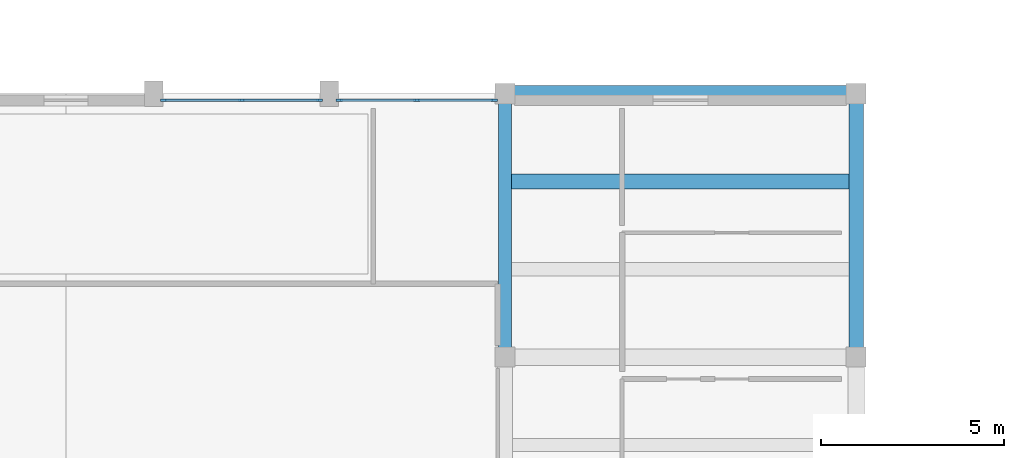
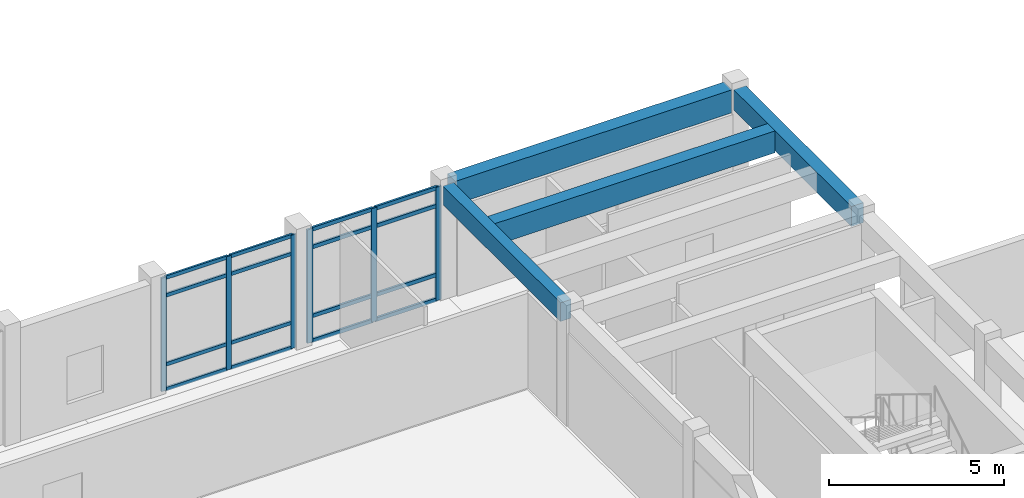
# One storey, part 15 of 60: 22 members, 4 beams, 2 elements without a shape of their own.
"""IFC4 building model written with IfcOpenShell, lengths in metres."""

from ifc_helpers import new_model, si_unit, direction, frame, origin, origin_2d, place, context, subcontext, project, spatial, rectangle, extrude, material, layer, layer_set, material_profile, profile_set, type_object, element, aggregate, save


model = new_model("IFC4")

# Units and contexts
model_context = context("Model", 3, precision=1e-05, world=origin(), true_north=direction((0.0, 1.0)))
body_context = subcontext(model_context, "Body", "Model", "MODEL_VIEW")
ifc_project = project(units=[si_unit("LENGTHUNIT", "METRE"), si_unit("AREAUNIT", "SQUARE_METRE"), si_unit("VOLUMEUNIT", "CUBIC_METRE"), si_unit("PLANEANGLEUNIT", "RADIAN"), si_unit("MASSUNIT", "GRAM", prefix="KILO")], contexts=[model_context])

# Site, building, storey
site_placement = place(None, origin())
site = spatial("IfcSite", under=ifc_project, at=site_placement, CompositionType="ELEMENT")
building_placement = place(site_placement, origin())
building = spatial("IfcBuilding", under=site, at=building_placement, Name="Brisavento Harbour Community Centre", CompositionType="ELEMENT")
storey_placement = place(building_placement, frame((0.0, 0.0, 4.5)))
storey = spatial("IfcBuildingStorey", under=building, at=storey_placement, Name="L01", CompositionType="ELEMENT", Elevation=4.5)

# Beams
ifc_material_1 = material(Name="Concrete C35/45", Category="concrete")
ifc_material_profile_1 = material_profile(ifc_material_1, rectangle(XDim=0.419921875, YDim=0.760009765625, at=origin_2d()), Name="Concrete C35/45")
ifc_profile_set_1 = profile_set([ifc_material_profile_1], Name="Concrete C35/45")
beam_type_1 = type_object("IfcBeamType", Name="BM-JST-420x760", PredefinedType="JOIST", material=ifc_profile_set_1)
beam_1_placement = place(storey_placement, frame((40.97509765625, 33.60009765625, 3.570068359375), z_axis=(1.0, 0.0, 0.0), x_axis=(0.0, 1.0, 0.0)))
element("IfcBeam", 1, at=beam_1_placement, inside=storey, type_object=beam_type_1, Name="L01 secondary floor joist 0241", PredefinedType="JOIST", context=body_context, shape_type="SweptSolid", body=[
    extrude(rectangle(XDim=0.419921875, YDim=0.760009765625, at=origin_2d()), origin(), (0.0, 0.0, 1.0), 9.224853515625),
])
ifc_material_profile_2 = material_profile(ifc_material_1, rectangle(XDim=0.35009765625, YDim=0.64990234375, at=origin_2d()), Name="Concrete C35/45")
ifc_profile_set_2 = profile_set([ifc_material_profile_2], Name="Concrete C35/45")
beam_type_2 = type_object("IfcBeamType", Name="BM-RC-350x650", PredefinedType="BEAM", material=ifc_profile_set_2)
beam_2_placement = place(storey_placement, frame((40.800048828125, 29.044921875, 3.625), z_axis=(0.0, 1.0, 0.0), x_axis=(-1.0, 0.0, 0.0)))
element("IfcBeam", 2, at=beam_2_placement, inside=storey, type_object=beam_type_2, Name="L01 primary girder Y0493", PredefinedType="BEAM", context=body_context, shape_type="SweptSolid", body=[
    extrude(rectangle(XDim=0.35009765625, YDim=0.64990234375, at=origin_2d()), origin(), (0.0, 0.0, 1.0), 6.7099609375),
])
ifc_material_profile_3 = material_profile(ifc_material_1, rectangle(XDim=0.39990234375, YDim=0.699951171875, at=origin_2d()), Name="Concrete C35/45")
ifc_profile_set_3 = profile_set([ifc_material_profile_3], Name="Concrete C35/45")
beam_type_3 = type_object("IfcBeamType", Name="BM-RC-400x700", PredefinedType="BEAM", material=ifc_profile_set_3)
beam_3_placement = place(storey_placement, frame((50.39990234375, 29.044921875, 3.60009765625), z_axis=(0.0, 1.0, 0.0), x_axis=(-1.0, 0.0, 0.0)))
element("IfcBeam", 3, at=beam_3_placement, inside=storey, type_object=beam_type_3, Name="L01 primary girder Y0497", PredefinedType="BEAM", context=body_context, shape_type="SweptSolid", body=[
    extrude(rectangle(XDim=0.39990234375, YDim=0.699951171875, at=origin_2d()), origin(), (0.0, 0.0, 1.0), 6.7099609375),
])
ifc_material_profile_4 = material_profile(ifc_material_1, rectangle(XDim=0.449951171875, YDim=0.800048828125, at=origin_2d()), Name="Concrete C35/45")
ifc_profile_set_4 = profile_set([ifc_material_profile_4], Name="Concrete C35/45")
beam_type_4 = type_object("IfcBeamType", Name="BM-RC-450x800", PredefinedType="BEAM", material=ifc_profile_set_4)
beam_4_placement = place(storey_placement, frame((41.044921875, 36.0, 3.550048828125), z_axis=(1.0, 0.0, 0.0), x_axis=(0.0, 1.0, 0.0)))
element("IfcBeam", 4, at=beam_4_placement, inside=storey, type_object=beam_type_4, Name="L01 primary girder X0445", PredefinedType="BEAM", context=body_context, shape_type="SweptSolid", body=[
    extrude(rectangle(XDim=0.449951171875, YDim=0.800048828125, at=origin_2d()), origin(), (0.0, 0.0, 1.0), 9.110107421875),
])

# Curtain wall, members
ifc_material_2 = material(Name="Marine-anodised aluminium AW-6063-T6", Category="aluminium")
ifc_layer_1 = layer(ifc_material_2, 0.179931640625, Name="Marine-anodised aluminium AW-6063-T6")
ifc_layer_set_1 = layer_set([ifc_layer_1], Name="Marine-anodised aluminium AW-6063-T6")
curtain_wall_type_1 = type_object("IfcCurtainWallType", Name="CW-SYS-17", PredefinedType="USERDEFINED", material=ifc_layer_set_1)
curtain_wall_1_placement = place(storey_placement, origin())
curtain_wall_1 = element("IfcCurtainWall", 5, at=curtain_wall_1_placement, inside=storey, type_object=curtain_wall_type_1, Name="L01 V1 unitised curtain wall 045", ObjectType="UNITISED CURTAIN WALL", PredefinedType="USERDEFINED")
ifc_material_profile_5 = material_profile(ifc_material_2, rectangle(XDim=0.06494140625, YDim=0.1650390625, at=origin_2d()), Name="Marine-anodised aluminium AW-6063-T6")
ifc_profile_set_5 = profile_set([ifc_material_profile_5], Name="Marine-anodised aluminium AW-6063-T6")
member_type_1 = type_object("IfcMemberType", Name="CWM-01", PredefinedType="MULLION", material=ifc_profile_set_5)
member_1_placement = place(storey_placement, frame((31.467529296875, 35.820068359375, 0.0), z_axis=(0.0, 0.0, 1.0), x_axis=(0.0, 1.0, 0.0)))
member_1 = element("IfcMember", 6, at=member_1_placement, type_object=member_type_1, Name="CW-17 mullion 1", PredefinedType="MULLION", context=body_context, shape_type="SweptSolid", body=[
    extrude(rectangle(XDim=0.06494140625, YDim=0.1650390625, at=origin_2d()), origin(), (0.0, 0.0, 1.0), 3.949951171875),
])
member_2_placement = place(storey_placement, frame((33.60009765625, 35.820068359375, 0.0), z_axis=(0.0, 0.0, 1.0), x_axis=(0.0, 1.0, 0.0)))
member_2 = element("IfcMember", 7, at=member_2_placement, type_object=member_type_1, Name="CW-17 mullion 2", PredefinedType="MULLION", context=body_context, shape_type="SweptSolid", body=[
    extrude(rectangle(XDim=0.06494140625, YDim=0.1650390625, at=origin_2d()), origin(), (0.0, 0.0, 1.0), 3.949951171875),
])
member_3_placement = place(storey_placement, frame((35.732421875, 35.820068359375, 0.0), z_axis=(0.0, 0.0, 1.0), x_axis=(0.0, 1.0, 0.0)))
member_3 = element("IfcMember", 8, at=member_3_placement, type_object=member_type_1, Name="CW-17 mullion 3", PredefinedType="MULLION", context=body_context, shape_type="SweptSolid", body=[
    extrude(rectangle(XDim=0.06494140625, YDim=0.1650390625, at=origin_2d()), origin(), (0.0, 0.0, 1.0), 3.949951171875),
])

ifc_layer_2 = layer(ifc_material_2, 0.179931640625, Name="Marine-anodised aluminium AW-6063-T6")
ifc_layer_set_2 = layer_set([ifc_layer_2], Name="Marine-anodised aluminium AW-6063-T6")
curtain_wall_type_2 = type_object("IfcCurtainWallType", Name="CW-SYS-18", PredefinedType="USERDEFINED", material=ifc_layer_set_2)
curtain_wall_2_placement = place(storey_placement, origin())
curtain_wall_2 = element("IfcCurtainWall", 9, at=curtain_wall_2_placement, inside=storey, type_object=curtain_wall_type_2, Name="L01 V1 unitised curtain wall 046", ObjectType="UNITISED CURTAIN WALL", PredefinedType="USERDEFINED")
ifc_material_profile_6 = material_profile(ifc_material_2, rectangle(XDim=0.070068359375, YDim=0.179931640625, at=origin_2d()), Name="Marine-anodised aluminium AW-6063-T6")
ifc_profile_set_6 = profile_set([ifc_material_profile_6], Name="Marine-anodised aluminium AW-6063-T6")
member_type_2 = type_object("IfcMemberType", Name="CWM-02", PredefinedType="MULLION", material=ifc_profile_set_6)
member_4_placement = place(storey_placement, frame((36.27001953125, 35.820068359375, 0.0), z_axis=(0.0, 0.0, 1.0), x_axis=(0.0, 1.0, 0.0)))
member_4 = element("IfcMember", 10, at=member_4_placement, type_object=member_type_2, Name="CW-18 mullion 1", PredefinedType="MULLION", context=body_context, shape_type="SweptSolid", body=[
    extrude(rectangle(XDim=0.070068359375, YDim=0.179931640625, at=origin_2d()), origin(), (0.0, 0.0, 1.0), 3.949951171875),
])
member_5_placement = place(storey_placement, frame((38.387451171875, 35.820068359375, 0.0), z_axis=(0.0, 0.0, 1.0), x_axis=(0.0, 1.0, 0.0)))
member_5 = element("IfcMember", 11, at=member_5_placement, type_object=member_type_2, Name="CW-18 mullion 2", PredefinedType="MULLION", context=body_context, shape_type="SweptSolid", body=[
    extrude(rectangle(XDim=0.070068359375, YDim=0.179931640625, at=origin_2d()), origin(), (0.0, 0.0, 1.0), 3.949951171875),
])
member_6_placement = place(storey_placement, frame((40.5048828125, 35.820068359375, 0.0), z_axis=(0.0, 0.0, 1.0), x_axis=(0.0, 1.0, 0.0)))
member_6 = element("IfcMember", 12, at=member_6_placement, type_object=member_type_2, Name="CW-18 mullion 3", PredefinedType="MULLION", context=body_context, shape_type="SweptSolid", body=[
    extrude(rectangle(XDim=0.070068359375, YDim=0.179931640625, at=origin_2d()), origin(), (0.0, 0.0, 1.0), 3.949951171875),
])

# Member
ifc_material_profile_7 = material_profile(ifc_material_2, rectangle(XDim=0.06494140625, YDim=0.125, at=origin_2d()), Name="Marine-anodised aluminium AW-6063-T6")
ifc_profile_set_7 = profile_set([ifc_material_profile_7], Name="Marine-anodised aluminium AW-6063-T6")
member_type_3 = type_object("IfcMemberType", Name="CWT-01", PredefinedType="USERDEFINED", material=ifc_profile_set_7)
member_7_placement = place(storey_placement, frame((31.5, 35.820068359375, 0.032470703125), z_axis=(1.0, 0.0, 0.0), x_axis=(0.0, 1.0, 0.0)))
member_7 = element("IfcMember", 13, at=member_7_placement, type_object=member_type_3, Name="CW-17 transom 1.1", ObjectType="TRANSOM", PredefinedType="USERDEFINED", context=body_context, shape_type="SweptSolid", body=[
    extrude(rectangle(XDim=0.06494140625, YDim=0.125, at=origin_2d()), origin(), (0.0, 0.0, 1.0), 2.0673828125),
])

member_8_placement = place(storey_placement, frame((31.5, 35.820068359375, 0.89990234375), z_axis=(1.0, 0.0, 0.0), x_axis=(0.0, 1.0, 0.0)))
member_8 = element("IfcMember", 14, at=member_8_placement, type_object=member_type_3, Name="CW-17 transom 1.2", ObjectType="TRANSOM", PredefinedType="USERDEFINED", context=body_context, shape_type="SweptSolid", body=[
    extrude(rectangle(XDim=0.06494140625, YDim=0.125, at=origin_2d()), origin(), (0.0, 0.0, 1.0), 2.0673828125),
])

member_9_placement = place(storey_placement, frame((31.5, 35.820068359375, 3.300048828125), z_axis=(1.0, 0.0, 0.0), x_axis=(0.0, 1.0, 0.0)))
member_9 = element("IfcMember", 15, at=member_9_placement, type_object=member_type_3, Name="CW-17 transom 1.3", ObjectType="TRANSOM", PredefinedType="USERDEFINED", context=body_context, shape_type="SweptSolid", body=[
    extrude(rectangle(XDim=0.06494140625, YDim=0.125, at=origin_2d()), origin(), (0.0, 0.0, 1.0), 2.0673828125),
])

member_10_placement = place(storey_placement, frame((31.5, 35.820068359375, 3.91748046875), z_axis=(1.0, 0.0, 0.0), x_axis=(0.0, 1.0, 0.0)))
member_10 = element("IfcMember", 16, at=member_10_placement, type_object=member_type_3, Name="CW-17 transom 1.4", ObjectType="TRANSOM", PredefinedType="USERDEFINED", context=body_context, shape_type="SweptSolid", body=[
    extrude(rectangle(XDim=0.06494140625, YDim=0.125, at=origin_2d()), origin(), (0.0, 0.0, 1.0), 2.0673828125),
])

member_11_placement = place(storey_placement, frame((33.632568359375, 35.820068359375, 0.032470703125), z_axis=(1.0, 0.0, 0.0), x_axis=(0.0, 1.0, 0.0)))
member_11 = element("IfcMember", 17, at=member_11_placement, type_object=member_type_3, Name="CW-17 transom 2.1", ObjectType="TRANSOM", PredefinedType="USERDEFINED", context=body_context, shape_type="SweptSolid", body=[
    extrude(rectangle(XDim=0.06494140625, YDim=0.125, at=origin_2d()), origin(), (0.0, 0.0, 1.0), 2.0673828125),
])

member_12_placement = place(storey_placement, frame((33.632568359375, 35.820068359375, 0.89990234375), z_axis=(1.0, 0.0, 0.0), x_axis=(0.0, 1.0, 0.0)))
member_12 = element("IfcMember", 18, at=member_12_placement, type_object=member_type_3, Name="CW-17 transom 2.2", ObjectType="TRANSOM", PredefinedType="USERDEFINED", context=body_context, shape_type="SweptSolid", body=[
    extrude(rectangle(XDim=0.06494140625, YDim=0.125, at=origin_2d()), origin(), (0.0, 0.0, 1.0), 2.0673828125),
])

member_13_placement = place(storey_placement, frame((33.632568359375, 35.820068359375, 3.300048828125), z_axis=(1.0, 0.0, 0.0), x_axis=(0.0, 1.0, 0.0)))
member_13 = element("IfcMember", 19, at=member_13_placement, type_object=member_type_3, Name="CW-17 transom 2.3", ObjectType="TRANSOM", PredefinedType="USERDEFINED", context=body_context, shape_type="SweptSolid", body=[
    extrude(rectangle(XDim=0.06494140625, YDim=0.125, at=origin_2d()), origin(), (0.0, 0.0, 1.0), 2.0673828125),
])

member_14_placement = place(storey_placement, frame((33.632568359375, 35.820068359375, 3.91748046875), z_axis=(1.0, 0.0, 0.0), x_axis=(0.0, 1.0, 0.0)))
member_14 = element("IfcMember", 20, at=member_14_placement, type_object=member_type_3, Name="CW-17 transom 2.4", ObjectType="TRANSOM", PredefinedType="USERDEFINED", context=body_context, shape_type="SweptSolid", body=[
    extrude(rectangle(XDim=0.06494140625, YDim=0.125, at=origin_2d()), origin(), (0.0, 0.0, 1.0), 2.0673828125),
])

aggregate(curtain_wall_1, [member_1, member_2, member_3, member_7, member_8, member_9, member_10, member_11, member_12, member_13, member_14])

ifc_material_profile_8 = material_profile(ifc_material_2, rectangle(XDim=0.070068359375, YDim=0.132080078125, at=origin_2d()), Name="Marine-anodised aluminium AW-6063-T6")
ifc_profile_set_8 = profile_set([ifc_material_profile_8], Name="Marine-anodised aluminium AW-6063-T6")
member_type_4 = type_object("IfcMemberType", Name="CWT-02", PredefinedType="USERDEFINED", material=ifc_profile_set_8)
member_15_placement = place(storey_placement, frame((36.304931640625, 35.820068359375, 0.034912109375), z_axis=(1.0, 0.0, 0.0), x_axis=(0.0, 1.0, 0.0)))
member_15 = element("IfcMember", 21, at=member_15_placement, type_object=member_type_4, Name="CW-18 transom 1.1", ObjectType="TRANSOM", PredefinedType="USERDEFINED", context=body_context, shape_type="SweptSolid", body=[
    extrude(rectangle(XDim=0.070068359375, YDim=0.132080078125, at=origin_2d()), origin(), (0.0, 0.0, 1.0), 2.047607421875),
])

member_16_placement = place(storey_placement, frame((36.304931640625, 35.820068359375, 0.89990234375), z_axis=(1.0, 0.0, 0.0), x_axis=(0.0, 1.0, 0.0)))
member_16 = element("IfcMember", 22, at=member_16_placement, type_object=member_type_4, Name="CW-18 transom 1.2", ObjectType="TRANSOM", PredefinedType="USERDEFINED", context=body_context, shape_type="SweptSolid", body=[
    extrude(rectangle(XDim=0.070068359375, YDim=0.132080078125, at=origin_2d()), origin(), (0.0, 0.0, 1.0), 2.047607421875),
])

member_17_placement = place(storey_placement, frame((36.304931640625, 35.820068359375, 3.300048828125), z_axis=(1.0, 0.0, 0.0), x_axis=(0.0, 1.0, 0.0)))
member_17 = element("IfcMember", 23, at=member_17_placement, type_object=member_type_4, Name="CW-18 transom 1.3", ObjectType="TRANSOM", PredefinedType="USERDEFINED", context=body_context, shape_type="SweptSolid", body=[
    extrude(rectangle(XDim=0.070068359375, YDim=0.132080078125, at=origin_2d()), origin(), (0.0, 0.0, 1.0), 2.047607421875),
])

member_18_placement = place(storey_placement, frame((36.304931640625, 35.820068359375, 3.9150390625), z_axis=(1.0, 0.0, 0.0), x_axis=(0.0, 1.0, 0.0)))
member_18 = element("IfcMember", 24, at=member_18_placement, type_object=member_type_4, Name="CW-18 transom 1.4", ObjectType="TRANSOM", PredefinedType="USERDEFINED", context=body_context, shape_type="SweptSolid", body=[
    extrude(rectangle(XDim=0.070068359375, YDim=0.132080078125, at=origin_2d()), origin(), (0.0, 0.0, 1.0), 2.047607421875),
])

member_19_placement = place(storey_placement, frame((38.422607421875, 35.820068359375, 0.034912109375), z_axis=(1.0, 0.0, 0.0), x_axis=(0.0, 1.0, 0.0)))
member_19 = element("IfcMember", 25, at=member_19_placement, type_object=member_type_4, Name="CW-18 transom 2.1", ObjectType="TRANSOM", PredefinedType="USERDEFINED", context=body_context, shape_type="SweptSolid", body=[
    extrude(rectangle(XDim=0.070068359375, YDim=0.132080078125, at=origin_2d()), origin(), (0.0, 0.0, 1.0), 2.04736328125),
])

member_20_placement = place(storey_placement, frame((38.422607421875, 35.820068359375, 0.89990234375), z_axis=(1.0, 0.0, 0.0), x_axis=(0.0, 1.0, 0.0)))
member_20 = element("IfcMember", 26, at=member_20_placement, type_object=member_type_4, Name="CW-18 transom 2.2", ObjectType="TRANSOM", PredefinedType="USERDEFINED", context=body_context, shape_type="SweptSolid", body=[
    extrude(rectangle(XDim=0.070068359375, YDim=0.132080078125, at=origin_2d()), origin(), (0.0, 0.0, 1.0), 2.04736328125),
])

member_21_placement = place(storey_placement, frame((38.422607421875, 35.820068359375, 3.300048828125), z_axis=(1.0, 0.0, 0.0), x_axis=(0.0, 1.0, 0.0)))
member_21 = element("IfcMember", 27, at=member_21_placement, type_object=member_type_4, Name="CW-18 transom 2.3", ObjectType="TRANSOM", PredefinedType="USERDEFINED", context=body_context, shape_type="SweptSolid", body=[
    extrude(rectangle(XDim=0.070068359375, YDim=0.132080078125, at=origin_2d()), origin(), (0.0, 0.0, 1.0), 2.04736328125),
])

member_22_placement = place(storey_placement, frame((38.422607421875, 35.820068359375, 3.9150390625), z_axis=(1.0, 0.0, 0.0), x_axis=(0.0, 1.0, 0.0)))
member_22 = element("IfcMember", 28, at=member_22_placement, type_object=member_type_4, Name="CW-18 transom 2.4", ObjectType="TRANSOM", PredefinedType="USERDEFINED", context=body_context, shape_type="SweptSolid", body=[
    extrude(rectangle(XDim=0.070068359375, YDim=0.132080078125, at=origin_2d()), origin(), (0.0, 0.0, 1.0), 2.04736328125),
])

aggregate(curtain_wall_2, [member_4, member_5, member_6, member_15, member_16, member_17, member_18, member_19, member_20, member_21, member_22])

save(model, "model.ifc")
